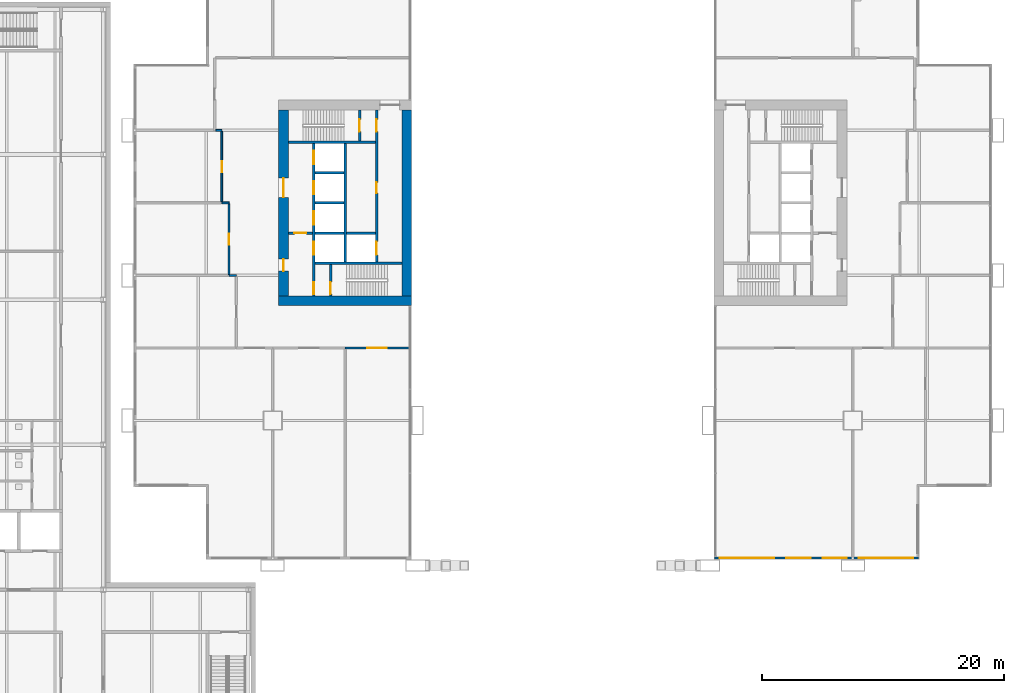
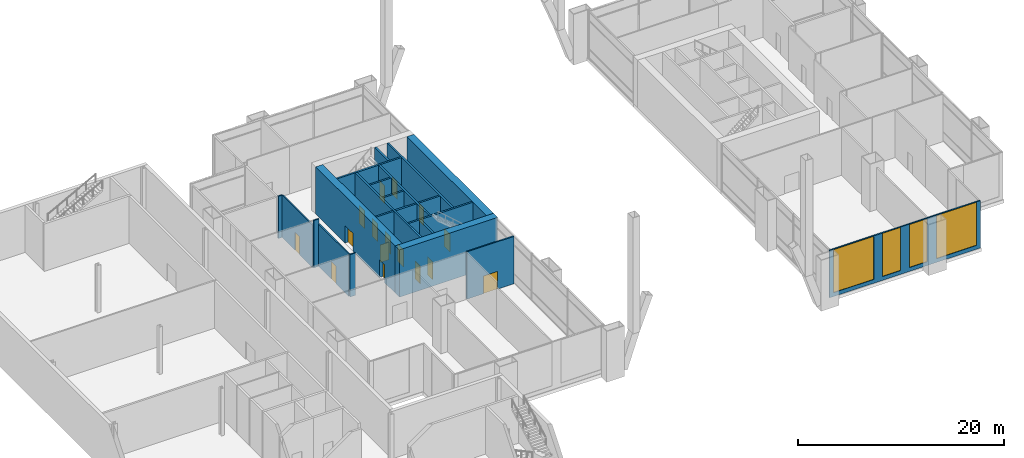
# One storey, part 23 of 30: 22 walls, 16 doors, 4 windows, 20 openings.
"""IFC4 building model written with IfcOpenShell, lengths in metres."""

from ifc_helpers import new_model, si_unit, direction, frame, frame_2d, origin, place, context, subcontext, project, spatial, rectangle, extrude, material, layer, layer_set, type_object, element, fill, save


model = new_model("IFC4")

# Units and contexts
model_context = context("Model", 3, precision=1e-05, world=origin(), true_north=direction((0.0, 1.0)))
body_context = subcontext(model_context, "Body", "Model", "MODEL_VIEW")
ifc_project = project(units=[si_unit("LENGTHUNIT", "METRE"), si_unit("AREAUNIT", "SQUARE_METRE"), si_unit("VOLUMEUNIT", "CUBIC_METRE"), si_unit("PLANEANGLEUNIT", "RADIAN"), si_unit("MASSUNIT", "GRAM", prefix="KILO")], contexts=[model_context])

# Site, building, storey
site_placement = place(None, origin())
site = spatial("IfcSite", under=ifc_project, at=site_placement, CompositionType="ELEMENT")
building_placement = place(site_placement, origin())
building = spatial("IfcBuilding", under=site, at=building_placement, Name="Kitamizu Gate Tower and Museum", CompositionType="ELEMENT")
storey_placement = place(building_placement, frame((0.0, 0.0, 6.0)))
storey = spatial("IfcBuildingStorey", under=building, at=storey_placement, Name="L01", CompositionType="ELEMENT", Elevation=6.0)

# Wall
ifc_material_1 = material(Name="Concrete Fc60", Category="concrete")
ifc_layer_1 = layer(ifc_material_1, 0.800048828125)
ifc_layer_set_1 = layer_set([ifc_layer_1], Name="Concrete Fc60")
wall_type_1 = type_object("IfcWallType", Name="Core wall 800", PredefinedType="SHEAR", material=ifc_layer_set_1)
wall_1_placement = place(storey_placement, frame((12.5, 21.89990234375, 0.0), z_axis=(0.0, 0.0, 1.0), x_axis=(1.0, 0.0, 0.0)))
element("IfcWall", 1, at=wall_1_placement, inside=storey, type_object=wall_type_1, Name="Core wall WS", PredefinedType="SHEAR", context=body_context, shape_type="SweptSolid", body=[
    extrude(rectangle(XDim=11.0, YDim=0.800048828125, at=frame_2d((5.5, 0.0))), origin(), (0.0, 0.0, 1.0), 5.60009765625),
])

# Wall, openings, doors
wall_2_placement = place(storey_placement, frame((12.89990234375, 22.300048828125, 0.0), z_axis=(0.0, 0.0, 1.0), x_axis=(0.0, 1.0, 0.0)))
wall_2 = element("IfcWall", 2, at=wall_2_placement, inside=storey, type_object=wall_type_1, Name="Core wall WOUT", PredefinedType="SHEAR", context=body_context, shape_type="SweptSolid", body=[
    extrude(rectangle(XDim=15.39990234375, YDim=0.800048828125, at=frame_2d((7.699951171875, 0.0))), origin(), (0.0, 0.0, 1.0), 5.60009765625),
])
opening_1_placement = place(wall_2_placement, frame((8.14990234375, 0.0, 0.0)))
opening_1 = element("IfcOpeningElement", 3, at=opening_1_placement, cuts=wall_2, Name="Opening L01-024", PredefinedType="OPENING", context=body_context, shape_type="SweptSolid", body=[
    extrude(rectangle(XDim=1.60009765625, YDim=2.10009765625, at=frame_2d((0.800048828125, 1.050048828125))), frame((0.0, 0.41015625, 0.0), z_axis=(0.0, -1.0, 0.0), x_axis=(1.0, 0.0, 0.0)), (0.0, 0.0, 1.0), 0.820068359375),
])
opening_2_placement = place(wall_2_placement, frame((2.050048828125, 0.0, 0.0)))
opening_2 = element("IfcOpeningElement", 4, at=opening_2_placement, cuts=wall_2, Name="Opening L01-025", PredefinedType="OPENING", context=body_context, shape_type="SweptSolid", body=[
    extrude(rectangle(XDim=1.0, YDim=2.10009765625, at=frame_2d((0.5, 1.050048828125))), frame((0.0, 0.41015625, 0.0), z_axis=(0.0, -1.0, 0.0), x_axis=(1.0, 0.0, 0.0)), (0.0, 0.0, 1.0), 0.820068359375),
])
ifc_material_2 = material(Name="Timber door set", Category="wood")
door_type_1 = type_object("IfcDoorType", Name="Entrance door 1600", OperationType="DOUBLE_DOOR_SINGLE_SWING", PredefinedType="DOOR", material=ifc_material_2)
door_1_placement = place(opening_1_placement, origin())
door_1 = element("IfcDoor", 5, at=door_1_placement, inside=storey, type_object=door_type_1, Name="Lobby door L01-024", OperationType="DOUBLE_DOOR_SINGLE_SWING", OverallHeight=2.10009765625, OverallWidth=1.60009765625, PredefinedType="DOOR", context=body_context, shape_type="SweptSolid", body=[
    extrude(rectangle(XDim=1.60009765625, YDim=2.10009765625, at=frame_2d((0.800048828125, 1.050048828125))), frame((0.0, 0.02490234375, 0.0), z_axis=(0.0, -1.0, 0.0), x_axis=(1.0, 0.0, 0.0)), (0.0, 0.0, 1.0), 0.050048828125),
])
fill(opening_1, door_1)
ifc_material_3 = material(Name="Hollow metal door set")
door_type_2 = type_object("IfcDoorType", Name="Fire door 1000", OperationType="NOTDEFINED", PredefinedType="DOOR", material=ifc_material_3)
door_2_placement = place(opening_2_placement, frame((1.0, 0.0, 0.0), x_axis=(-1.0, 0.0, 0.0)))
door_2 = element("IfcDoor", 6, at=door_2_placement, inside=storey, type_object=door_type_2, Name="Fire-fighting lobby door L01-025", OperationType="SINGLE_SWING_LEFT", OverallHeight=2.10009765625, OverallWidth=1.0, PredefinedType="DOOR", context=body_context, shape_type="SweptSolid", body=[
    extrude(rectangle(XDim=1.0, YDim=2.10009765625, at=frame_2d((0.5, 1.050048828125))), frame((0.0, 0.02490234375, 0.0), z_axis=(0.0, -1.0, 0.0), x_axis=(1.0, 0.0, 0.0)), (0.0, 0.0, 1.0), 0.050048828125),
])
fill(opening_2, door_2)

# Wall
wall_3_placement = place(storey_placement, frame((23.10009765625, 22.300048828125, 0.0), z_axis=(0.0, 0.0, 1.0), x_axis=(0.0, 1.0, 0.0)))
element("IfcWall", 7, at=wall_3_placement, inside=storey, type_object=wall_type_1, Name="Core wall WARC", PredefinedType="SHEAR", context=body_context, shape_type="SweptSolid", body=[
    extrude(rectangle(XDim=15.39990234375, YDim=0.800048828125, at=frame_2d((7.699951171875, 0.0))), origin(), (0.0, 0.0, 1.0), 5.60009765625),
])

# Wall, opening, door
ifc_material_4 = material(Name="Gypsum board on galvanised stud")
ifc_layer_2 = layer(ifc_material_4, 0.14990234375)
ifc_layer_set_2 = layer_set([ifc_layer_2], Name="Gypsum board on galvanised stud")
wall_type_2 = type_object("IfcWallType", Name="Partition 150", PredefinedType="PARTITIONING", material=ifc_layer_set_2)
wall_4_placement = place(storey_placement, frame((18.0, 18.0, 0.0), z_axis=(0.0, 0.0, 1.0), x_axis=(1.0, 0.0, 0.0)))
wall_4 = element("IfcWall", 8, at=wall_4_placement, inside=storey, type_object=wall_type_2, Name="Partition L01-003", PredefinedType="PARTITIONING", context=body_context, shape_type="SweptSolid", body=[
    extrude(rectangle(XDim=5.280029296875, YDim=0.14990234375, at=frame_2d((2.64013671875, 0.0))), origin(), (0.0, 0.0, 1.0), 5.60009765625),
])
opening_3_placement = place(wall_4_placement, frame((1.840087890625, 0.0, 0.0)))
opening_3 = element("IfcOpeningElement", 9, at=opening_3_placement, cuts=wall_4, Name="Opening L01-012", PredefinedType="OPENING", context=body_context, shape_type="SweptSolid", body=[
    extrude(rectangle(XDim=1.60009765625, YDim=2.10009765625, at=frame_2d((0.800048828125, 1.050048828125))), frame((0.0, 0.0849609375, 0.0), z_axis=(0.0, -1.0, 0.0), x_axis=(1.0, 0.0, 0.0)), (0.0, 0.0, 1.0), 0.169921875),
])
ifc_material_5 = material(Name="Timber door set", Category="wood")
door_type_3 = type_object("IfcDoorType", Name="Double door 1600", OperationType="DOUBLE_DOOR_SINGLE_SWING", PredefinedType="DOOR", material=ifc_material_5)
door_3_placement = place(opening_3_placement, origin())
door_3 = element("IfcDoor", 10, at=door_3_placement, inside=storey, type_object=door_type_3, Name="Double door L01-012", OperationType="DOUBLE_DOOR_SINGLE_SWING", OverallHeight=2.10009765625, OverallWidth=1.60009765625, PredefinedType="DOOR", context=body_context, shape_type="SweptSolid", body=[
    extrude(rectangle(XDim=1.60009765625, YDim=2.10009765625, at=frame_2d((0.800048828125, 1.050048828125))), frame((0.0, 0.02490234375, 0.0), z_axis=(0.0, -1.0, 0.0), x_axis=(1.0, 0.0, 0.0)), (0.0, 0.0, 1.0), 0.050048828125),
])
fill(opening_3, door_3)

# Walls
wall_5_placement = place(storey_placement, frame((8.39990234375, 24.0, 0.0), z_axis=(0.0, 0.0, 1.0), x_axis=(1.0, 0.0, 0.0)))
element("IfcWall", 11, at=wall_5_placement, inside=storey, type_object=wall_type_2, Name="Partition L01-004", PredefinedType="PARTITIONING", context=body_context, shape_type="SweptSolid", body=[
    extrude(rectangle(XDim=0.60009765625, YDim=0.14990234375, at=frame_2d((0.300048828125, 0.0))), origin(), (0.0, 0.0, 1.0), 5.0),
])
wall_6_placement = place(storey_placement, frame((7.800048828125, 30.0, 0.0), z_axis=(0.0, 0.0, 1.0), x_axis=(1.0, 0.0, 0.0)))
element("IfcWall", 12, at=wall_6_placement, inside=storey, type_object=wall_type_2, Name="Partition L01-006", PredefinedType="PARTITIONING", context=body_context, shape_type="SweptSolid", body=[
    extrude(rectangle(XDim=0.599853515625, YDim=0.14990234375, at=frame_2d((0.2998046875, 0.0))), origin(), (0.0, 0.0, 1.0), 5.60009765625),
])

# Wall, opening, door
wall_7_placement = place(storey_placement, frame((8.39990234375, 29.925048828125, 0.0), z_axis=(0.0, 0.0, 1.0), x_axis=(0.0, -1.0, 0.0)))
wall_7 = element("IfcWall", 13, at=wall_7_placement, inside=storey, type_object=wall_type_2, Name="Partition L01-007", PredefinedType="PARTITIONING", context=body_context, shape_type="SweptSolid", body=[
    extrude(rectangle(XDim=5.85009765625, YDim=0.14990234375, at=frame_2d((2.925048828125, 0.0))), origin(), (0.0, 0.0, 1.0), 5.0),
])
opening_4_placement = place(wall_7_placement, frame((2.47509765625, 0.0, 0.0)))
opening_4 = element("IfcOpeningElement", 14, at=opening_4_placement, cuts=wall_7, Name="Opening L01-014", PredefinedType="OPENING", context=body_context, shape_type="SweptSolid", body=[
    extrude(rectangle(XDim=0.89990234375, YDim=2.10009765625, at=frame_2d((0.449951171875, 1.050048828125))), frame((0.0, 0.0849609375, 0.0), z_axis=(0.0, -1.0, 0.0), x_axis=(1.0, 0.0, 0.0)), (0.0, 0.0, 1.0), 0.169921875),
])
ifc_material_6 = material(Name="Timber door set", Category="wood")
door_type_4 = type_object("IfcDoorType", Name="Room door 900", OperationType="NOTDEFINED", PredefinedType="DOOR", material=ifc_material_6)
door_4_placement = place(opening_4_placement, frame((0.89990234375, 0.0, 0.0), x_axis=(-1.0, 0.0, 0.0)))
door_4 = element("IfcDoor", 15, at=door_4_placement, inside=storey, type_object=door_type_4, Name="Door L01-014", OperationType="SINGLE_SWING_LEFT", OverallHeight=2.10009765625, OverallWidth=0.89990234375, PredefinedType="DOOR", context=body_context, shape_type="SweptSolid", body=[
    extrude(rectangle(XDim=0.89990234375, YDim=2.10009765625, at=frame_2d((0.449951171875, 1.050048828125))), frame((0.0, 0.02490234375, 0.0), z_axis=(0.0, -1.0, 0.0), x_axis=(1.0, 0.0, 0.0)), (0.0, 0.0, 1.0), 0.050048828125),
])
fill(opening_4, door_4)

# Wall
wall_8_placement = place(storey_placement, frame((7.300048828125, 36.0, 0.0), z_axis=(0.0, 0.0, 1.0), x_axis=(1.0, 0.0, 0.0)))
element("IfcWall", 16, at=wall_8_placement, inside=storey, type_object=wall_type_2, Name="Partition L01-008", PredefinedType="PARTITIONING", context=body_context, shape_type="SweptSolid", body=[
    extrude(rectangle(XDim=0.5, YDim=0.14990234375, at=frame_2d((0.25, 0.0))), origin(), (0.0, 0.0, 1.0), 5.0),
])

# Wall, opening, door
wall_9_placement = place(storey_placement, frame((7.800048828125, 35.925048828125, 0.0), z_axis=(0.0, 0.0, 1.0), x_axis=(0.0, -1.0, 0.0)))
wall_9 = element("IfcWall", 17, at=wall_9_placement, inside=storey, type_object=wall_type_2, Name="Partition L01-009", PredefinedType="PARTITIONING", context=body_context, shape_type="SweptSolid", body=[
    extrude(rectangle(XDim=5.85009765625, YDim=0.14990234375, at=frame_2d((2.925048828125, 0.0))), origin(), (0.0, 0.0, 1.0), 5.0),
])
opening_5_placement = place(wall_9_placement, frame((2.47509765625, 0.0, 0.0)))
opening_5 = element("IfcOpeningElement", 18, at=opening_5_placement, cuts=wall_9, Name="Opening L01-015", PredefinedType="OPENING", context=body_context, shape_type="SweptSolid", body=[
    extrude(rectangle(XDim=0.89990234375, YDim=2.10009765625, at=frame_2d((0.449951171875, 1.050048828125))), frame((0.0, 0.0849609375, 0.0), z_axis=(0.0, -1.0, 0.0), x_axis=(1.0, 0.0, 0.0)), (0.0, 0.0, 1.0), 0.169921875),
])
door_5_placement = place(opening_5_placement, frame((0.89990234375, 0.0, 0.0), x_axis=(-1.0, 0.0, 0.0)))
door_5 = element("IfcDoor", 19, at=door_5_placement, inside=storey, type_object=door_type_4, Name="Door L01-015", OperationType="SINGLE_SWING_RIGHT", OverallHeight=2.10009765625, OverallWidth=0.89990234375, PredefinedType="DOOR", context=body_context, shape_type="SweptSolid", body=[
    extrude(rectangle(XDim=0.89990234375, YDim=2.10009765625, at=frame_2d((0.449951171875, 1.050048828125))), frame((0.0, 0.02490234375, 0.0), z_axis=(0.0, -1.0, 0.0), x_axis=(1.0, 0.0, 0.0)), (0.0, 0.0, 1.0), 0.050048828125),
])
fill(opening_5, door_5)

# Wall, openings, doors
ifc_material_7 = material(Name="Concrete Fc42", Category="concrete")
ifc_layer_3 = layer(ifc_material_7, 0.199951171875)
ifc_layer_set_3 = layer_set([ifc_layer_3], Name="Concrete Fc42")
wall_type_3 = type_object("IfcWallType", Name="Shaft wall 200", PredefinedType="SOLIDWALL", material=ifc_layer_set_3)
wall_10_placement = place(storey_placement, frame((15.39990234375, 22.300048828125, 0.0), z_axis=(0.0, 0.0, 1.0), x_axis=(0.0, 1.0, 0.0)))
wall_10 = element("IfcWall", 20, at=wall_10_placement, inside=storey, type_object=wall_type_3, Name="Shaft wall WWEST", PredefinedType="SOLIDWALL", context=body_context, shape_type="SweptSolid", body=[
    extrude(rectangle(XDim=12.599853515625, YDim=0.199951171875, at=frame_2d((6.2998046875, 0.0))), origin(), (0.0, 0.0, 1.0), 5.60009765625),
])
opening_6_placement = place(wall_10_placement, frame((3.39990234375, 0.0, 0.0)))
opening_6 = element("IfcOpeningElement", 21, at=opening_6_placement, cuts=wall_10, Name="Opening LD", PredefinedType="OPENING", context=body_context, shape_type="SweptSolid", body=[
    extrude(rectangle(XDim=1.10009765625, YDim=2.10009765625, at=frame_2d((0.550048828125, 1.050048828125))), frame((0.0, 0.10986328125, 0.0), z_axis=(0.0, -1.0, 0.0), x_axis=(1.0, 0.0, 0.0)), (0.0, 0.0, 1.0), 0.219970703125),
])
opening_7_placement = place(wall_10_placement, frame((5.89990234375, 0.0, 0.0)))
opening_7 = element("IfcOpeningElement", 22, at=opening_7_placement, cuts=wall_10, Name="Opening LD", PredefinedType="OPENING", context=body_context, shape_type="SweptSolid", body=[
    extrude(rectangle(XDim=1.10009765625, YDim=2.10009765625, at=frame_2d((0.550048828125, 1.050048828125))), frame((0.0, 0.10986328125, 0.0), z_axis=(0.0, -1.0, 0.0), x_axis=(1.0, 0.0, 0.0)), (0.0, 0.0, 1.0), 0.219970703125),
])
opening_8_placement = place(wall_10_placement, frame((8.39990234375, 0.0, 0.0)))
opening_8 = element("IfcOpeningElement", 23, at=opening_8_placement, cuts=wall_10, Name="Opening LD", PredefinedType="OPENING", context=body_context, shape_type="SweptSolid", body=[
    extrude(rectangle(XDim=1.10009765625, YDim=2.10009765625, at=frame_2d((0.550048828125, 1.050048828125))), frame((0.0, 0.10986328125, 0.0), z_axis=(0.0, -1.0, 0.0), x_axis=(1.0, 0.0, 0.0)), (0.0, 0.0, 1.0), 0.219970703125),
])
opening_9_placement = place(wall_10_placement, frame((10.89990234375, 0.0, 0.0)))
opening_9 = element("IfcOpeningElement", 24, at=opening_9_placement, cuts=wall_10, Name="Opening LD", PredefinedType="OPENING", context=body_context, shape_type="SweptSolid", body=[
    extrude(rectangle(XDim=1.10009765625, YDim=2.10009765625, at=frame_2d((0.550048828125, 1.050048828125))), frame((0.0, 0.10986328125, 0.0), z_axis=(0.0, -1.0, 0.0), x_axis=(1.0, 0.0, 0.0)), (0.0, 0.0, 1.0), 0.219970703125),
])
opening_10_placement = place(wall_10_placement, frame((0.14990234375, 0.0, 0.0)))
opening_10 = element("IfcOpeningElement", 25, at=opening_10_placement, cuts=wall_10, Name="Opening L01-020", PredefinedType="OPENING", context=body_context, shape_type="SweptSolid", body=[
    extrude(rectangle(XDim=1.0, YDim=2.10009765625, at=frame_2d((0.5, 1.050048828125))), frame((0.0, 0.10986328125, 0.0), z_axis=(0.0, -1.0, 0.0), x_axis=(1.0, 0.0, 0.0)), (0.0, 0.0, 1.0), 0.219970703125),
])
door_6_placement = place(opening_10_placement, frame((1.0, 0.0, 0.0), x_axis=(-1.0, 0.0, 0.0)))
door_6 = element("IfcDoor", 26, at=door_6_placement, inside=storey, type_object=door_type_2, Name="Stair lobby door L01-020", OperationType="SINGLE_SWING_LEFT", OverallHeight=2.10009765625, OverallWidth=1.0, PredefinedType="DOOR", context=body_context, shape_type="SweptSolid", body=[
    extrude(rectangle(XDim=1.0, YDim=2.10009765625, at=frame_2d((0.5, 1.050048828125))), frame((0.0, 0.02490234375, 0.0), z_axis=(0.0, -1.0, 0.0), x_axis=(1.0, 0.0, 0.0)), (0.0, 0.0, 1.0), 0.050048828125),
])
fill(opening_10, door_6)
ifc_material_8 = material(Name="Hollow metal door set")
door_type_5 = type_object("IfcDoorType", Name="Landing door 1100", OperationType="SLIDING_TO_LEFT", PredefinedType="DOOR", material=ifc_material_8)
door_7_placement = place(opening_6_placement, origin())
door_7 = element("IfcDoor", 27, at=door_7_placement, inside=storey, type_object=door_type_5, Name="Landing door WFF1", OperationType="SLIDING_TO_LEFT", OverallHeight=2.10009765625, OverallWidth=1.10009765625, PredefinedType="DOOR", context=body_context, shape_type="SweptSolid", body=[
    extrude(rectangle(XDim=1.10009765625, YDim=2.10009765625, at=frame_2d((0.550048828125, 1.050048828125))), frame((0.0, 0.02490234375, 0.0), z_axis=(0.0, -1.0, 0.0), x_axis=(1.0, 0.0, 0.0)), (0.0, 0.0, 1.0), 0.050048828125),
])
fill(opening_6, door_7)
door_8_placement = place(opening_7_placement, origin())
door_8 = element("IfcDoor", 28, at=door_8_placement, inside=storey, type_object=door_type_5, Name="Landing door WL1", OperationType="SLIDING_TO_LEFT", OverallHeight=2.10009765625, OverallWidth=1.10009765625, PredefinedType="DOOR", context=body_context, shape_type="SweptSolid", body=[
    extrude(rectangle(XDim=1.10009765625, YDim=2.10009765625, at=frame_2d((0.550048828125, 1.050048828125))), frame((0.0, 0.02490234375, 0.0), z_axis=(0.0, -1.0, 0.0), x_axis=(1.0, 0.0, 0.0)), (0.0, 0.0, 1.0), 0.050048828125),
])
fill(opening_7, door_8)
door_9_placement = place(opening_8_placement, origin())
door_9 = element("IfcDoor", 29, at=door_9_placement, inside=storey, type_object=door_type_5, Name="Landing door WL2", OperationType="SLIDING_TO_LEFT", OverallHeight=2.10009765625, OverallWidth=1.10009765625, PredefinedType="DOOR", context=body_context, shape_type="SweptSolid", body=[
    extrude(rectangle(XDim=1.10009765625, YDim=2.10009765625, at=frame_2d((0.550048828125, 1.050048828125))), frame((0.0, 0.02490234375, 0.0), z_axis=(0.0, -1.0, 0.0), x_axis=(1.0, 0.0, 0.0)), (0.0, 0.0, 1.0), 0.050048828125),
])
fill(opening_8, door_9)
door_10_placement = place(opening_9_placement, origin())
door_10 = element("IfcDoor", 30, at=door_10_placement, inside=storey, type_object=door_type_5, Name="Landing door WL3", OperationType="SLIDING_TO_LEFT", OverallHeight=2.10009765625, OverallWidth=1.10009765625, PredefinedType="DOOR", context=body_context, shape_type="SweptSolid", body=[
    extrude(rectangle(XDim=1.10009765625, YDim=2.10009765625, at=frame_2d((0.550048828125, 1.050048828125))), frame((0.0, 0.02490234375, 0.0), z_axis=(0.0, -1.0, 0.0), x_axis=(1.0, 0.0, 0.0)), (0.0, 0.0, 1.0), 0.050048828125),
])
fill(opening_9, door_10)

wall_11_placement = place(storey_placement, frame((20.60009765625, 25.10009765625, 0.0), z_axis=(0.0, 0.0, 1.0), x_axis=(0.0, 1.0, 0.0)))
wall_11 = element("IfcWall", 31, at=wall_11_placement, inside=storey, type_object=wall_type_3, Name="Shaft wall WEAST", PredefinedType="SOLIDWALL", context=body_context, shape_type="SweptSolid", body=[
    extrude(rectangle(XDim=12.599853515625, YDim=0.199951171875, at=frame_2d((6.2998046875, 0.0))), origin(), (0.0, 0.0, 1.0), 5.60009765625),
])
opening_11_placement = place(wall_11_placement, frame((0.60009765625, 0.0, 0.0)))
opening_11 = element("IfcOpeningElement", 32, at=opening_11_placement, cuts=wall_11, Name="Opening LD", PredefinedType="OPENING", context=body_context, shape_type="SweptSolid", body=[
    extrude(rectangle(XDim=1.10009765625, YDim=2.10009765625, at=frame_2d((0.550048828125, 1.050048828125))), frame((0.0, 0.10986328125, 0.0), z_axis=(0.0, -1.0, 0.0), x_axis=(1.0, 0.0, 0.0)), (0.0, 0.0, 1.0), 0.219970703125),
])
opening_12_placement = place(wall_11_placement, frame((10.800048828125, 0.0, 0.0)))
opening_12 = element("IfcOpeningElement", 33, at=opening_12_placement, cuts=wall_11, Name="Opening L01-021", PredefinedType="OPENING", context=body_context, shape_type="SweptSolid", body=[
    extrude(rectangle(XDim=1.0, YDim=2.10009765625, at=frame_2d((0.5, 1.050048828125))), frame((0.0, 0.10986328125, 0.0), z_axis=(0.0, -1.0, 0.0), x_axis=(1.0, 0.0, 0.0)), (0.0, 0.0, 1.0), 0.219970703125),
])
opening_13_placement = place(wall_11_placement, frame((5.699951171875, 0.0, 0.0)))
opening_13 = element("IfcOpeningElement", 34, at=opening_13_placement, cuts=wall_11, Name="Opening L01-027", PredefinedType="OPENING", context=body_context, shape_type="SweptSolid", body=[
    extrude(rectangle(XDim=0.89990234375, YDim=2.10009765625, at=frame_2d((0.449951171875, 1.050048828125))), frame((0.0, 0.10986328125, 0.0), z_axis=(0.0, -1.0, 0.0), x_axis=(1.0, 0.0, 0.0)), (0.0, 0.0, 1.0), 0.219970703125),
])
door_11_placement = place(opening_12_placement, origin())
door_11 = element("IfcDoor", 35, at=door_11_placement, inside=storey, type_object=door_type_2, Name="Stair lobby door L01-021", OperationType="SINGLE_SWING_LEFT", OverallHeight=2.10009765625, OverallWidth=1.0, PredefinedType="DOOR", context=body_context, shape_type="SweptSolid", body=[
    extrude(rectangle(XDim=1.0, YDim=2.10009765625, at=frame_2d((0.5, 1.050048828125))), frame((0.0, 0.02490234375, 0.0), z_axis=(0.0, -1.0, 0.0), x_axis=(1.0, 0.0, 0.0)), (0.0, 0.0, 1.0), 0.050048828125),
])
fill(opening_12, door_11)
door_12_placement = place(opening_11_placement, origin())
door_12 = element("IfcDoor", 36, at=door_12_placement, inside=storey, type_object=door_type_5, Name="Landing door WSV1", OperationType="SLIDING_TO_LEFT", OverallHeight=2.10009765625, OverallWidth=1.10009765625, PredefinedType="DOOR", context=body_context, shape_type="SweptSolid", body=[
    extrude(rectangle(XDim=1.10009765625, YDim=2.10009765625, at=frame_2d((0.550048828125, 1.050048828125))), frame((0.0, 0.02490234375, 0.0), z_axis=(0.0, -1.0, 0.0), x_axis=(1.0, 0.0, 0.0)), (0.0, 0.0, 1.0), 0.050048828125),
])
fill(opening_11, door_12)
ifc_material_9 = material(Name="Timber door set", Category="wood")
door_type_6 = type_object("IfcDoorType", Name="Service door 900", OperationType="NOTDEFINED", PredefinedType="DOOR", material=ifc_material_9)
door_13_placement = place(opening_13_placement, origin())
door_13 = element("IfcDoor", 37, at=door_13_placement, inside=storey, type_object=door_type_6, Name="Service door L01-027", OperationType="SINGLE_SWING_LEFT", OverallHeight=2.10009765625, OverallWidth=0.89990234375, PredefinedType="DOOR", context=body_context, shape_type="SweptSolid", body=[
    extrude(rectangle(XDim=0.89990234375, YDim=2.10009765625, at=frame_2d((0.449951171875, 1.050048828125))), frame((0.0, 0.02490234375, 0.0), z_axis=(0.0, -1.0, 0.0), x_axis=(1.0, 0.0, 0.0)), (0.0, 0.0, 1.0), 0.050048828125),
])
fill(opening_13, door_13)

# Walls
wall_12_placement = place(storey_placement, frame((18.0, 25.10009765625, 0.0), z_axis=(0.0, 0.0, 1.0), x_axis=(0.0, 1.0, 0.0)))
element("IfcWall", 38, at=wall_12_placement, inside=storey, type_object=wall_type_3, Name="Shaft wall WMID", PredefinedType="SOLIDWALL", context=body_context, shape_type="SweptSolid", body=[
    extrude(rectangle(XDim=9.7998046875, YDim=0.199951171875, at=frame_2d((4.89990234375, 0.0))), origin(), (0.0, 0.0, 1.0), 5.60009765625),
])
for number, where, z_axis, x_axis, name in (
    (39, (15.5, 25.0, 0.0), (0.0, 0.0, 1.0), (1.0, 0.0, 0.0), "Shaft wall WSB"),
    (40, (13.300048828125, 35.0, 0.0), (0.0, 0.0, 1.0), (1.0, 0.0, 0.0), "Shaft wall WNB"),
):
    element("IfcWall", number, at=place(storey_placement, frame(where, z_axis=z_axis, x_axis=x_axis)), inside=storey, type_object=wall_type_3, Name=name, PredefinedType="SOLIDWALL", context=body_context, shape_type="SweptSolid", body=[
        extrude(rectangle(XDim=7.199951171875, YDim=0.199951171875, at=frame_2d((3.60009765625, 0.0))), origin(), (0.0, 0.0, 1.0), 5.60009765625),
    ])

# Wall, opening, door
wall_13_placement = place(storey_placement, frame((13.300048828125, 27.5, 0.0), z_axis=(0.0, 0.0, 1.0), x_axis=(1.0, 0.0, 0.0)))
wall_13 = element("IfcWall", 41, at=wall_13_placement, inside=storey, type_object=wall_type_3, Name="Shaft wall WFFN", PredefinedType="SOLIDWALL", context=body_context, shape_type="SweptSolid", body=[
    extrude(rectangle(XDim=2.0, YDim=0.199951171875, at=frame_2d((1.0, 0.0))), origin(), (0.0, 0.0, 1.0), 5.60009765625),
])
opening_14_placement = place(wall_13_placement, frame((0.5, 0.0, 0.0)))
opening_14 = element("IfcOpeningElement", 42, at=opening_14_placement, cuts=wall_13, Name="Opening L01-023", PredefinedType="OPENING", context=body_context, shape_type="SweptSolid", body=[
    extrude(rectangle(XDim=1.0, YDim=2.10009765625, at=frame_2d((0.5, 1.050048828125))), frame((0.0, 0.10986328125, 0.0), z_axis=(0.0, -1.0, 0.0), x_axis=(1.0, 0.0, 0.0)), (0.0, 0.0, 1.0), 0.219970703125),
])
door_14_placement = place(opening_14_placement, frame((1.0, 0.0, 0.0), x_axis=(-1.0, 0.0, 0.0)))
door_14 = element("IfcDoor", 43, at=door_14_placement, inside=storey, type_object=door_type_2, Name="Fire-fighting lobby door L01-023", OperationType="SINGLE_SWING_RIGHT", OverallHeight=2.10009765625, OverallWidth=1.0, PredefinedType="DOOR", context=body_context, shape_type="SweptSolid", body=[
    extrude(rectangle(XDim=1.0, YDim=2.10009765625, at=frame_2d((0.5, 1.050048828125))), frame((0.0, 0.02490234375, 0.0), z_axis=(0.0, -1.0, 0.0), x_axis=(1.0, 0.0, 0.0)), (0.0, 0.0, 1.0), 0.050048828125),
])
fill(opening_14, door_14)

wall_14_placement = place(storey_placement, frame((16.800048828125, 22.300048828125, 0.0), z_axis=(0.0, 0.0, 1.0), x_axis=(0.0, 1.0, 0.0)))
wall_14 = element("IfcWall", 44, at=wall_14_placement, inside=storey, type_object=wall_type_3, Name="Shaft wall WSZ", PredefinedType="SOLIDWALL", context=body_context, shape_type="SweptSolid", body=[
    extrude(rectangle(XDim=2.599853515625, YDim=0.199951171875, at=frame_2d((1.2998046875, 0.0))), origin(), (0.0, 0.0, 1.0), 5.60009765625),
])
opening_15_placement = place(wall_14_placement, frame((0.14990234375, 0.0, 0.0)))
opening_15 = element("IfcOpeningElement", 45, at=opening_15_placement, cuts=wall_14, Name="Opening L01-019", PredefinedType="OPENING", context=body_context, shape_type="SweptSolid", body=[
    extrude(rectangle(XDim=1.0, YDim=2.10009765625, at=frame_2d((0.5, 1.050048828125))), frame((0.0, 0.10986328125, 0.0), z_axis=(0.0, -1.0, 0.0), x_axis=(1.0, 0.0, 0.0)), (0.0, 0.0, 1.0), 0.219970703125),
])
door_15_placement = place(opening_15_placement, frame((1.0, 0.0, 0.0), x_axis=(-1.0, 0.0, 0.0)))
door_15 = element("IfcDoor", 46, at=door_15_placement, inside=storey, type_object=door_type_2, Name="Stair door L01-019", OperationType="SINGLE_SWING_LEFT", OverallHeight=2.10009765625, OverallWidth=1.0, PredefinedType="DOOR", context=body_context, shape_type="SweptSolid", body=[
    extrude(rectangle(XDim=1.0, YDim=2.10009765625, at=frame_2d((0.5, 1.050048828125))), frame((0.0, 0.02490234375, 0.0), z_axis=(0.0, -1.0, 0.0), x_axis=(1.0, 0.0, 0.0)), (0.0, 0.0, 1.0), 0.050048828125),
])
fill(opening_15, door_15)

wall_15_placement = place(storey_placement, frame((19.199951171875, 35.10009765625, 0.0), z_axis=(0.0, 0.0, 1.0), x_axis=(0.0, 1.0, 0.0)))
wall_15 = element("IfcWall", 47, at=wall_15_placement, inside=storey, type_object=wall_type_3, Name="Shaft wall WNZ", PredefinedType="SOLIDWALL", context=body_context, shape_type="SweptSolid", body=[
    extrude(rectangle(XDim=2.599853515625, YDim=0.199951171875, at=frame_2d((1.2998046875, 0.0))), origin(), (0.0, 0.0, 1.0), 5.60009765625),
])
opening_16_placement = place(wall_15_placement, frame((0.800048828125, 0.0, 0.0)))
opening_16 = element("IfcOpeningElement", 48, at=opening_16_placement, cuts=wall_15, Name="Opening L01-022", PredefinedType="OPENING", context=body_context, shape_type="SweptSolid", body=[
    extrude(rectangle(XDim=1.0, YDim=2.10009765625, at=frame_2d((0.5, 1.050048828125))), frame((0.0, 0.10986328125, 0.0), z_axis=(0.0, -1.0, 0.0), x_axis=(1.0, 0.0, 0.0)), (0.0, 0.0, 1.0), 0.219970703125),
])
door_16_placement = place(opening_16_placement, origin())
door_16 = element("IfcDoor", 49, at=door_16_placement, inside=storey, type_object=door_type_2, Name="Stair door L01-022", OperationType="SINGLE_SWING_RIGHT", OverallHeight=2.10009765625, OverallWidth=1.0, PredefinedType="DOOR", context=body_context, shape_type="SweptSolid", body=[
    extrude(rectangle(XDim=1.0, YDim=2.10009765625, at=frame_2d((0.5, 1.050048828125))), frame((0.0, 0.02490234375, 0.0), z_axis=(0.0, -1.0, 0.0), x_axis=(1.0, 0.0, 0.0)), (0.0, 0.0, 1.0), 0.050048828125),
])
fill(opening_16, door_16)

# Walls
for number, where, z_axis, x_axis, name in (
    (50, (15.5, 27.5, 0.0), (0.0, 0.0, 1.0), (1.0, 0.0, 0.0), "Shaft wall WDVW0"),
    (51, (15.5, 30.0, 0.0), (0.0, 0.0, 1.0), (1.0, 0.0, 0.0), "Shaft wall WDVW1"),
    (52, (15.5, 32.5, 0.0), (0.0, 0.0, 1.0), (1.0, 0.0, 0.0), "Shaft wall WDVW2"),
    (53, (18.10009765625, 27.5, 0.0), (0.0, 0.0, 1.0), (1.0, 0.0, 0.0), "Shaft wall WDVE0"),
):
    element("IfcWall", number, at=place(storey_placement, frame(where, z_axis=z_axis, x_axis=x_axis)), inside=storey, type_object=wall_type_3, Name=name, PredefinedType="SOLIDWALL", context=body_context, shape_type="SweptSolid", body=[
        extrude(rectangle(XDim=2.39990234375, YDim=0.199951171875, at=frame_2d((1.199951171875, 0.0))), origin(), (0.0, 0.0, 1.0), 5.60009765625),
    ])

# Wall, openings, windows
ifc_material_10 = material(Name="Bronze anodised aluminium frame with insulated spandrel and tinted glass", Category="aluminium")
ifc_layer_4 = layer(ifc_material_10, 0.14990234375)
ifc_layer_set_4 = layer_set([ifc_layer_4], Name="Bronze anodised aluminium frame with insulated spandrel and tinted glass")
wall_type_4 = type_object("IfcWallType", Name="WINDOW WALL 150 BRONZE FRAME EI 60", PredefinedType="ELEMENTEDWALL", material=ifc_layer_set_4)
wall_16_placement = place(storey_placement, frame((48.56005859375, 0.635009765625, 0.0), z_axis=(0.0, 0.0, 1.0), x_axis=(1.0, 0.0, 0.0)))
wall_16 = element("IfcWall", 54, at=wall_16_placement, inside=storey, type_object=wall_type_4, Name="Window wall south L01", PredefinedType="ELEMENTEDWALL", context=body_context, shape_type="SweptSolid", body=[
    extrude(rectangle(XDim=16.8798828125, YDim=0.14990234375, at=frame_2d((8.43994140625, 0.0))), origin(), (0.0, 0.0, 1.0), 5.60009765625),
])
opening_17_placement = place(wall_16_placement, frame((0.43994140625, 0.0, 0.449951171875)))
opening_17 = element("IfcOpeningElement", 55, at=opening_17_placement, cuts=wall_16, Name="Opening W21", PredefinedType="OPENING", context=body_context, shape_type="SweptSolid", body=[
    extrude(rectangle(XDim=4.5, YDim=5.10009765625, at=frame_2d((2.25, 2.550048828125))), frame((0.0, 0.0849609375, 0.0), z_axis=(0.0, -1.0, 0.0), x_axis=(1.0, 0.0, 0.0)), (0.0, 0.0, 1.0), 0.169921875),
])
opening_18_placement = place(wall_16_placement, frame((5.93994140625, 0.0, 0.449951171875)))
opening_18 = element("IfcOpeningElement", 56, at=opening_18_placement, cuts=wall_16, Name="Opening W8", PredefinedType="OPENING", context=body_context, shape_type="SweptSolid", body=[
    extrude(rectangle(XDim=2.0, YDim=5.10009765625, at=frame_2d((1.0, 2.550048828125))), frame((0.0, 0.0849609375, 0.0), z_axis=(0.0, -1.0, 0.0), x_axis=(1.0, 0.0, 0.0)), (0.0, 0.0, 1.0), 0.169921875),
])
opening_19_placement = place(wall_16_placement, frame((8.93994140625, 0.0, 0.449951171875)))
opening_19 = element("IfcOpeningElement", 57, at=opening_19_placement, cuts=wall_16, Name="Opening W8", PredefinedType="OPENING", context=body_context, shape_type="SweptSolid", body=[
    extrude(rectangle(XDim=2.0, YDim=5.10009765625, at=frame_2d((1.0, 2.550048828125))), frame((0.0, 0.0849609375, 0.0), z_axis=(0.0, -1.0, 0.0), x_axis=(1.0, 0.0, 0.0)), (0.0, 0.0, 1.0), 0.169921875),
])
opening_20_placement = place(wall_16_placement, frame((11.93994140625, 0.0, 0.449951171875)))
opening_20 = element("IfcOpeningElement", 58, at=opening_20_placement, cuts=wall_16, Name="Opening W21", PredefinedType="OPENING", context=body_context, shape_type="SweptSolid", body=[
    extrude(rectangle(XDim=4.5, YDim=5.10009765625, at=frame_2d((2.25, 2.550048828125))), frame((0.0, 0.0849609375, 0.0), z_axis=(0.0, -1.0, 0.0), x_axis=(1.0, 0.0, 0.0)), (0.0, 0.0, 1.0), 0.169921875),
])
ifc_material_11 = material(Name="Bronze anodised aluminium frame, tinted triple glazing", Category="aluminium")
window_type_1 = type_object("IfcWindowType", Name="WINDOW 2000 x 5100 SILL 450", PartitioningType="SINGLE_PANEL", PredefinedType="WINDOW", material=ifc_material_11)
window_1_placement = place(opening_18_placement, origin())
window_1 = element("IfcWindow", 59, at=window_1_placement, inside=storey, type_object=window_type_1, Name="Window W8 L01", OverallHeight=5.10009765625, OverallWidth=2.0, PartitioningType="SINGLE_PANEL", PredefinedType="WINDOW", context=body_context, shape_type="SweptSolid", body=[
    extrude(rectangle(XDim=2.0, YDim=5.10009765625, at=frame_2d((1.0, 2.550048828125))), frame((0.0, 0.030029296875, 0.0), z_axis=(0.0, -1.0, 0.0), x_axis=(1.0, 0.0, 0.0)), (0.0, 0.0, 1.0), 0.06005859375),
])
fill(opening_18, window_1)
window_2_placement = place(opening_19_placement, origin())
window_2 = element("IfcWindow", 60, at=window_2_placement, inside=storey, type_object=window_type_1, Name="Window W8 L01", OverallHeight=5.10009765625, OverallWidth=2.0, PartitioningType="SINGLE_PANEL", PredefinedType="WINDOW", context=body_context, shape_type="SweptSolid", body=[
    extrude(rectangle(XDim=2.0, YDim=5.10009765625, at=frame_2d((1.0, 2.550048828125))), frame((0.0, 0.030029296875, 0.0), z_axis=(0.0, -1.0, 0.0), x_axis=(1.0, 0.0, 0.0)), (0.0, 0.0, 1.0), 0.06005859375),
])
fill(opening_19, window_2)
ifc_material_12 = material(Name="Bronze anodised aluminium frame, tinted triple glazing", Category="aluminium")
window_type_2 = type_object("IfcWindowType", Name="WINDOW 4500 x 5100 SILL 450", PartitioningType="SINGLE_PANEL", PredefinedType="WINDOW", material=ifc_material_12)
window_3_placement = place(opening_17_placement, origin())
window_3 = element("IfcWindow", 61, at=window_3_placement, inside=storey, type_object=window_type_2, Name="Window W21 L01", OverallHeight=5.10009765625, OverallWidth=4.5, PartitioningType="SINGLE_PANEL", PredefinedType="WINDOW", context=body_context, shape_type="SweptSolid", body=[
    extrude(rectangle(XDim=4.5, YDim=5.10009765625, at=frame_2d((2.25, 2.550048828125))), frame((0.0, 0.030029296875, 0.0), z_axis=(0.0, -1.0, 0.0), x_axis=(1.0, 0.0, 0.0)), (0.0, 0.0, 1.0), 0.06005859375),
])
fill(opening_17, window_3)
window_4_placement = place(opening_20_placement, origin())
window_4 = element("IfcWindow", 62, at=window_4_placement, inside=storey, type_object=window_type_2, Name="Window W21 L01", OverallHeight=5.10009765625, OverallWidth=4.5, PartitioningType="SINGLE_PANEL", PredefinedType="WINDOW", context=body_context, shape_type="SweptSolid", body=[
    extrude(rectangle(XDim=4.5, YDim=5.10009765625, at=frame_2d((2.25, 2.550048828125))), frame((0.0, 0.030029296875, 0.0), z_axis=(0.0, -1.0, 0.0), x_axis=(1.0, 0.0, 0.0)), (0.0, 0.0, 1.0), 0.06005859375),
])
fill(opening_20, window_4)

save(model, "model.ifc")
